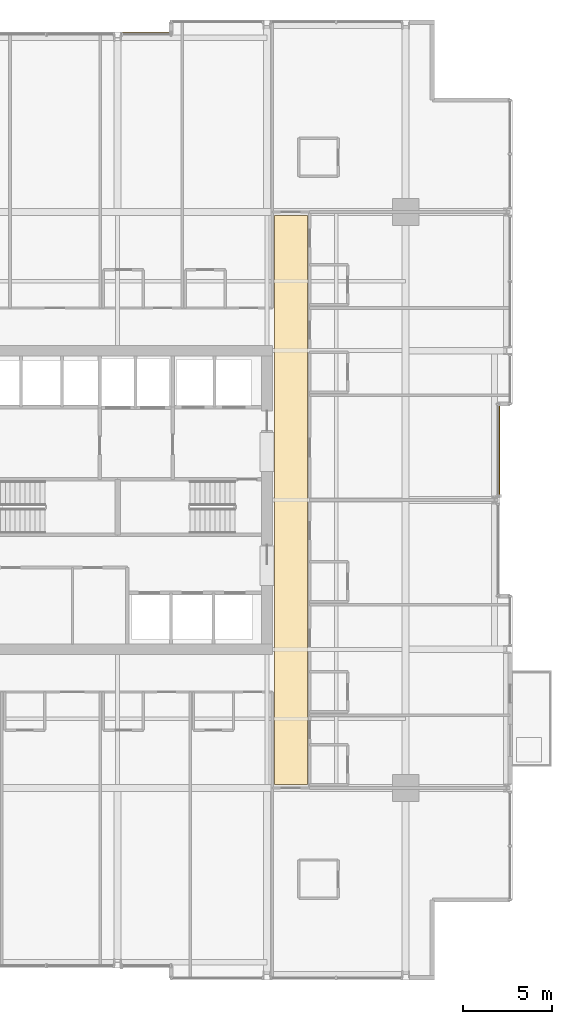
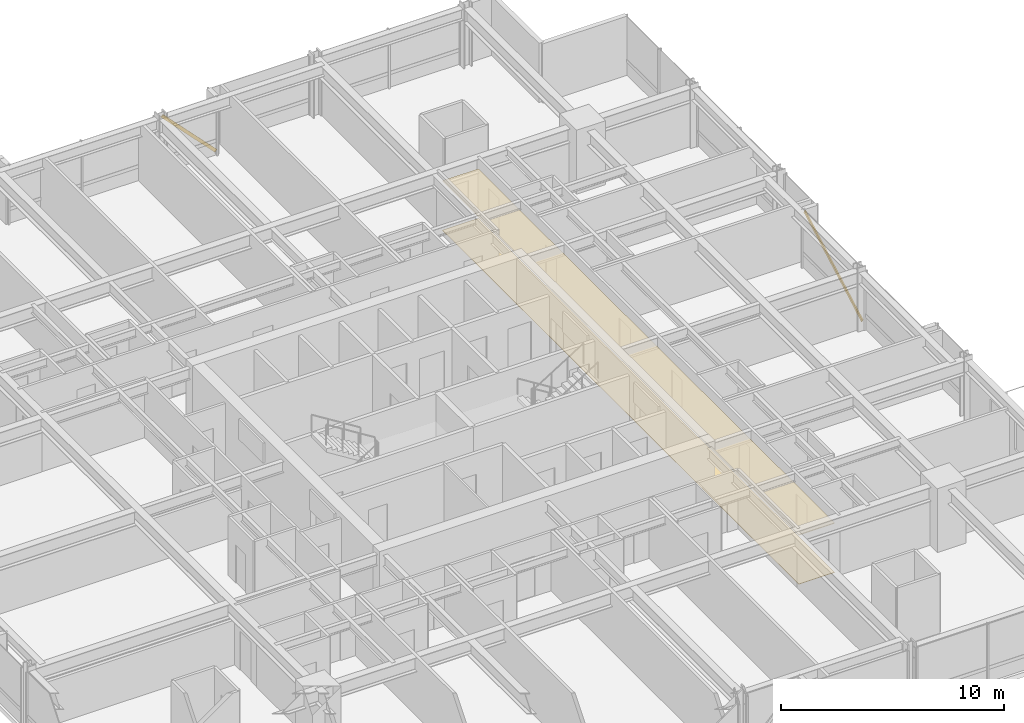
# One storey, part 35 of 35: 2 coverings, 2 shading devices.
"""IFC4 building model written with IfcOpenShell, lengths in metres."""

from ifc_helpers import new_model, si_unit, direction, frame, origin, origin_2d, place, context, subcontext, project, spatial, polyline, hollow_rectangle, outline, extrude, material, layer, layer_set, material_profile, profile_set, type_object, element, save


model = new_model("IFC4")

# Units and contexts
model_context = context("Model", 3, precision=1e-05, world=origin(), true_north=direction((0.0, 1.0)))
body_context = subcontext(model_context, "Body", "Model", "MODEL_VIEW")
ifc_project = project(units=[si_unit("LENGTHUNIT", "METRE"), si_unit("AREAUNIT", "SQUARE_METRE"), si_unit("VOLUMEUNIT", "CUBIC_METRE"), si_unit("PLANEANGLEUNIT", "RADIAN"), si_unit("MASSUNIT", "GRAM", prefix="KILO")], contexts=[model_context])

# Site, building, storey
site_placement = place(None, origin())
site = spatial("IfcSite", under=ifc_project, at=site_placement, CompositionType="ELEMENT")
building_placement = place(site_placement, origin())
building = spatial("IfcBuilding", under=site, at=building_placement, Name="Drelvath Grand Hotel", CompositionType="ELEMENT")
storey_placement = place(building_placement, frame((0.0, 0.0, 95.300048828125)))
storey = spatial("IfcBuildingStorey", under=building, at=storey_placement, Name="L23", CompositionType="ELEMENT", Elevation=95.300048828125)

# Shading devices
ifc_material_1 = material(Name="Champagne Bronze Anodised Aluminium", Category="aluminium")
ifc_material_profile = material_profile(ifc_material_1, hollow_rectangle(XDim=0.06494140625, YDim=0.159912109375, WallThickness=0.00390625, at=origin_2d()), Name="HSS160X65X4")
ifc_profile_set = profile_set([ifc_material_profile], Name="Champagne Bronze Anodised Aluminium")
shading_device_type = type_object("IfcShadingDeviceType", Name="Diagonal Solar Fin Champagne Anodised HSS160X65X4", PredefinedType="USERDEFINED", material=ifc_profile_set)
shading_device_1_placement = place(storey_placement, frame((21.47998046875, 27.219482421875, 0.179931640625), z_axis=(0.0, 0.8740056863, 0.4859156926), x_axis=(-1.0, 0.0, 0.0)))
element("IfcShadingDevice", 1, at=shading_device_1_placement, inside=storey, type_object=shading_device_type, Name="L23 Diagonal Anodised Fin CW03-L23-EM2", ObjectType="FIN", PredefinedType="USERDEFINED", context=body_context, shape_type="SweptSolid", body=[
    extrude(hollow_rectangle(XDim=0.06494140625, YDim=0.159912109375, WallThickness=0.00390625, at=origin_2d()), origin(), (0.0, 0.0, 1.0), 5.92724609375),
])
shading_device_2_placement = place(storey_placement, frame((3.0, 53.280029296875, 0.179931640625), z_axis=(-0.694556420652, 0.0, 0.719438238163), x_axis=(0.0, -1.0, 0.0)))
element("IfcShadingDevice", 2, at=shading_device_2_placement, inside=storey, type_object=shading_device_type, Name="L23 Diagonal Anodised Fin CW03-L23-NM2", ObjectType="FIN", PredefinedType="USERDEFINED", context=body_context, shape_type="SweptSolid", body=[
    extrude(hollow_rectangle(XDim=0.06494140625, YDim=0.159912109375, WallThickness=0.00390625, at=origin_2d()), origin(), (0.0, 0.0, 1.0), 4.00341796875),
])

# Coverings
ifc_material_2 = material(Name="Woven Wool Broadloom Carpet")
ifc_layer_1 = layer(ifc_material_2, 0.01806640625)
ifc_layer_set_1 = layer_set([ifc_layer_1], Name="Woven Wool Broadloom Carpet")
covering_type_1 = type_object("IfcCoveringType", Name="Hospitality Broadloom Carpet 18", PredefinedType="FLOORING", material=ifc_layer_set_1)
covering_1_placement = place(storey_placement, origin())
element("IfcCovering", 3, at=covering_1_placement, inside=storey, type_object=covering_type_1, Name="L23 East Spine Carpet", PredefinedType="FLOORING", context=body_context, shape_type="SweptSolid", body=[
    extrude(outline(polyline([(10.679931640625, 11.0), (10.679931640625, 43.0), (8.820068359375, 43.0), (8.820068359375, 11.0), (10.679931640625, 11.0)])), origin(), (0.0, 0.0, 1.0), 0.01806640625),
])
ifc_material_3 = material(Name="Anodised Aluminium Alloy", Category="aluminium")
ifc_layer_2 = layer(ifc_material_3, 0.0400390625)
ifc_layer_set_2 = layer_set([ifc_layer_2], Name="Anodised Aluminium Alloy")
covering_type_2 = type_object("IfcCoveringType", Name="Perforated Metal Corridor Ceiling 40", PredefinedType="CEILING", material=ifc_layer_set_2)
covering_2_placement = place(storey_placement, frame((0.0, 0.0, 2.68994140625)))
element("IfcCovering", 4, at=covering_2_placement, inside=storey, type_object=covering_type_2, Name="L23 East Spine Ceiling", PredefinedType="CEILING", context=body_context, shape_type="SweptSolid", body=[
    extrude(outline(polyline([(10.679931640625, 11.0), (10.679931640625, 43.0), (8.820068359375, 43.0), (8.820068359375, 11.0), (10.679931640625, 11.0)])), origin(), (0.0, 0.0, 1.0), 0.0400390625),
])

save(model, "model.ifc")
